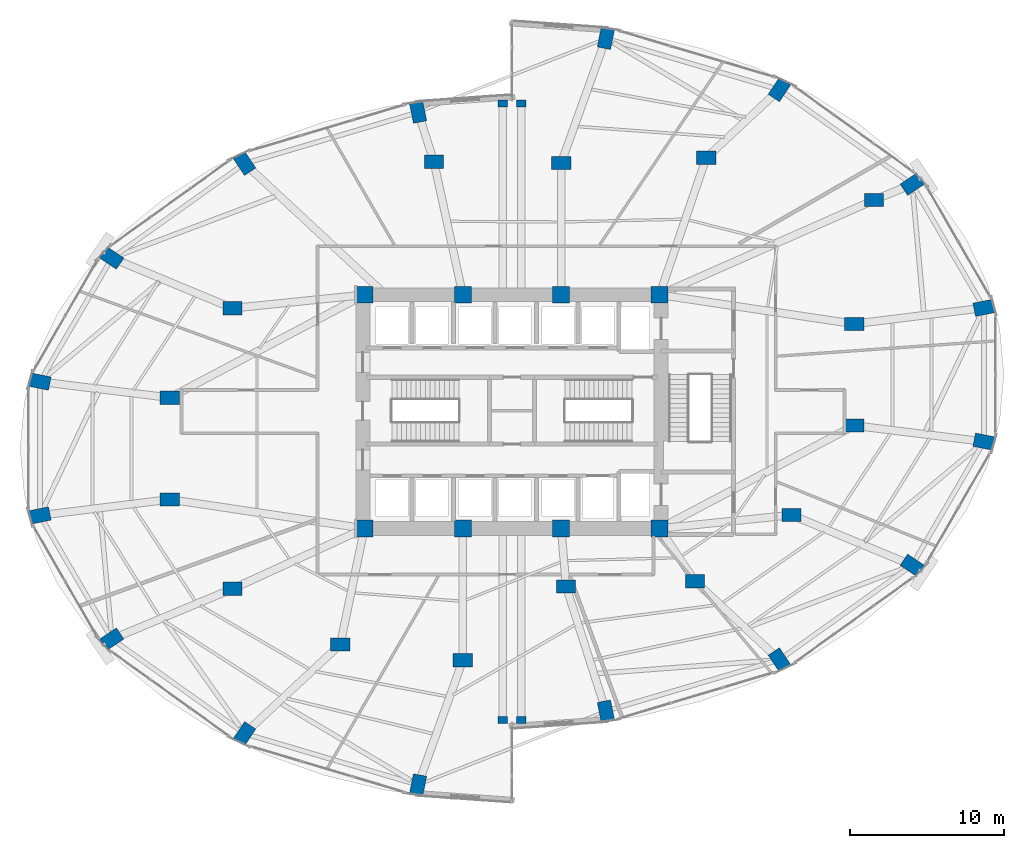
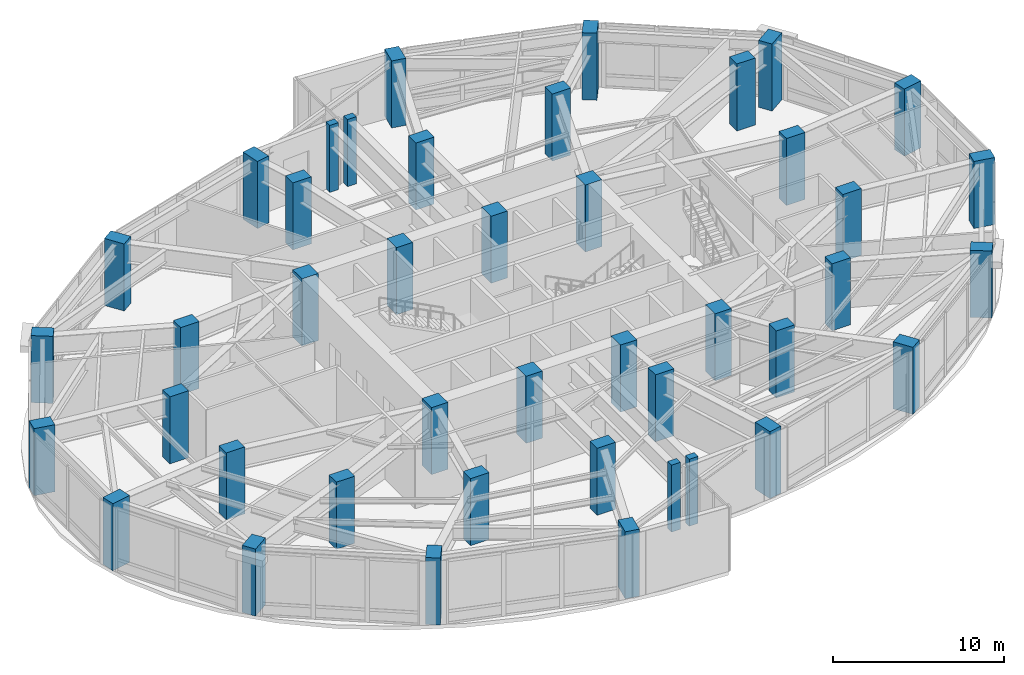
# One storey, part 1 of 24: 43 columns.
"""IFC4 building model written with IfcOpenShell, lengths in metres."""

from ifc_helpers import new_model, si_unit, direction, frame, origin, origin_2d, place, context, subcontext, project, spatial, rectangle, extrude, material, material_profile, profile_set, type_object, element, save


model = new_model("IFC4")

# Units and contexts
model_context = context("Model", 3, precision=1e-05, world=origin(), true_north=direction((0.0, 1.0)))
body_context = subcontext(model_context, "Body", "Model", "MODEL_VIEW")
ifc_project = project(units=[si_unit("LENGTHUNIT", "METRE"), si_unit("AREAUNIT", "SQUARE_METRE"), si_unit("VOLUMEUNIT", "CUBIC_METRE"), si_unit("PLANEANGLEUNIT", "RADIAN"), si_unit("MASSUNIT", "GRAM", prefix="KILO")], contexts=[model_context])

# Site, building, storey
site_placement = place(None, origin())
site = spatial("IfcSite", under=ifc_project, at=site_placement, CompositionType="ELEMENT")
building_placement = place(site_placement, origin())
building = spatial("IfcBuilding", under=site, at=building_placement, Name="Lazwardi Medical Tower", CompositionType="ELEMENT")
storey_placement = place(building_placement, frame((0.0, 0.0, 20.39990234375)))
storey = spatial("IfcBuildingStorey", under=building, at=storey_placement, Name="L04", CompositionType="ELEMENT", Elevation=20.39990234375)

# Columns
ifc_material_1 = material(Name="Concrete C80/95", Category="concrete")
ifc_material_profile_1 = material_profile(ifc_material_1, rectangle(XDim=1.10009765625, YDim=1.10009765625, at=origin_2d()), Name="RC 1100x1100")
ifc_profile_set_1 = profile_set([ifc_material_profile_1], Name="Concrete C80/95")
column_type_1 = type_object("IfcColumnType", Name="COL-CC-L", PredefinedType="COLUMN", material=ifc_profile_set_1)
for number, where, z_axis, x_axis, name in (
    (1, (26.39990234375, 20.39990234375, 0.0), (0.0, 0.0, 1.0), (1.0, 0.0, 0.0), "Core column CC-01 CC1 L04"),
    (2, (32.800048828125, 20.39990234375, 0.0), (0.0, 0.0, 1.0), (1.0, 0.0, 0.0), "Core column CC-01 CC2 L04"),
    (3, (39.199951171875, 20.39990234375, 0.0), (0.0, 0.0, 1.0), (1.0, 0.0, 0.0), "Core column CC-01 CC3 L04"),
    (4, (45.60009765625, 20.39990234375, 0.0), (0.0, 0.0, 1.0), (1.0, 0.0, 0.0), "Core column CC-01 CC4 L04"),
    (5, (45.60009765625, 35.60009765625, 0.0), (0.0, 0.0, 1.0), (1.0, 0.0, 0.0), "Core column CC-01 CC5 L04"),
    (6, (39.199951171875, 35.60009765625, 0.0), (0.0, 0.0, 1.0), (1.0, 0.0, 0.0), "Core column CC-01 CC6 L04"),
    (7, (32.800048828125, 35.60009765625, 0.0), (0.0, 0.0, 1.0), (1.0, 0.0, 0.0), "Core column CC-01 CC7 L04"),
    (8, (26.39990234375, 35.60009765625, 0.0), (0.0, 0.0, 1.0), (1.0, 0.0, 0.0), "Core column CC-01 CC8 L04"),
):
    element("IfcColumn", number, at=place(storey_placement, frame(where, z_axis=z_axis, x_axis=x_axis)), inside=storey, type_object=column_type_1, Name=name, PredefinedType="COLUMN", context=body_context, shape_type="SweptSolid", body=[
        extrude(rectangle(XDim=1.10009765625, YDim=1.10009765625, at=origin_2d()), origin(), (0.0, 0.0, 1.0), 4.800048828125),
    ])
ifc_material_profile_2 = material_profile(ifc_material_1, rectangle(XDim=1.300048828125, YDim=0.8798828125, at=origin_2d()), Name="CFT-RECT 1300x880")
ifc_profile_set_2 = profile_set([ifc_material_profile_2], Name="Concrete C80/95")
column_type_2 = type_object("IfcColumnType", Name="COL-MC-P1", PredefinedType="COLUMN", material=ifc_profile_set_2)
for number, where, z_axis, x_axis, name in (
    (9, (42.106201171875, 8.528564453125, 0.0), (0.0, 0.0, 1.0), (0.195090322016, -0.980785280403, 0.0), "Mega column MC-02 M01 L04"),
    (10, (53.389404296875, 11.858154296875, 0.0), (0.0, 0.0, 1.0), (0.55557023302, -0.831469612303, 0.0), "Mega column MC-02 M02 L04"),
    (11, (62.02490234375, 18.0107421875, 0.0), (0.0, 0.0, 1.0), (0.831469612303, -0.55557023302, 0.0), "Mega column MC-02 M03 L04"),
    (12, (66.698486328125, 26.049560546875, 0.0), (0.0, 0.0, 1.0), (0.980785280403, -0.195090322016, 0.0), "Mega column MC-02 M04 L04"),
    (13, (66.698486328125, 34.75048828125, 0.0), (0.0, 0.0, 1.0), (0.980785280403, 0.195090322016, 0.0), "Mega column MC-02 M05 L04"),
    (14, (62.02490234375, 42.789306640625, 0.0), (0.0, 0.0, 1.0), (0.831469612303, 0.55557023302, 0.0), "Mega column MC-02 M06 L04"),
    (15, (53.389404296875, 48.94189453125, 0.0), (0.0, 0.0, 1.0), (0.55557023302, 0.831469612303, 0.0), "Mega column MC-02 M07 L04"),
    (16, (42.106201171875, 52.271484375, 0.0), (0.0, 0.0, 1.0), (0.195090322016, 0.980785280403, 0.0), "Mega column MC-02 M08 L04"),
    (17, (29.893798828125, 47.471435546875, 0.0), (0.0, 0.0, 1.0), (-0.195090322016, 0.980785280403, 0.0), "Mega column MC-02 M09 L04"),
    (18, (18.610595703125, 44.141845703125, 0.0), (0.0, 0.0, 1.0), (-0.55557023302, 0.831469612303, 0.0), "Mega column MC-02 M10 L04"),
    (19, (9.97509765625, 37.9892578125, 0.0), (0.0, 0.0, 1.0), (-0.831469612303, 0.55557023302, 0.0), "Mega column MC-02 M11 L04"),
    (20, (5.301513671875, 29.950439453125, 0.0), (0.0, 0.0, 1.0), (-0.980785280403, 0.195090322016, 0.0), "Mega column MC-02 M12 L04"),
    (21, (5.301513671875, 21.24951171875, 0.0), (0.0, 0.0, 1.0), (-0.980785280403, -0.195090322016, 0.0), "Mega column MC-02 M13 L04"),
    (22, (9.97509765625, 13.210693359375, 0.0), (0.0, 0.0, 1.0), (-0.831469612303, -0.55557023302, 0.0), "Mega column MC-02 M14 L04"),
    (23, (18.610595703125, 7.05810546875, 0.0), (0.0, 0.0, 1.0), (-0.55557023302, -0.831469612303, 0.0), "Mega column MC-02 M15 L04"),
    (24, (29.893798828125, 3.728515625, 0.0), (0.0, 0.0, 1.0), (-0.195090322016, -0.980785280403, 0.0), "Mega column MC-02 M16 L04"),
):
    element("IfcColumn", number, at=place(storey_placement, frame(where, z_axis=z_axis, x_axis=x_axis)), inside=storey, type_object=column_type_2, Name=name, PredefinedType="COLUMN", context=body_context, shape_type="SweptSolid", body=[
        extrude(rectangle(XDim=1.300048828125, YDim=0.8798828125, at=origin_2d()), origin(), (0.0, 0.0, 1.0), 4.800048828125),
    ])
ifc_material_2 = material(Name="Concrete C70/85", Category="concrete")
ifc_material_profile_3 = material_profile(ifc_material_2, rectangle(XDim=1.25, YDim=0.860107421875, at=origin_2d()), Name="CFT-RECT 1250x860")
ifc_profile_set_3 = profile_set([ifc_material_profile_3], Name="Concrete C70/85")
column_type_3 = type_object("IfcColumnType", Name="COL-MC-Z1", PredefinedType="COLUMN", material=ifc_profile_set_3)
for number, where, z_axis, x_axis, name in (
    (25, (39.52001953125, 16.625, 0.0), (0.0, 0.0, 1.0), (1.0, 0.0, 0.0), "Mega column MC-03 PM01 L04"),
    (26, (47.902099609375, 16.970947265625, 0.0), (0.0, 0.0, 1.0), (1.0, 0.0, 0.0), "Mega column MC-03 PM02 L04"),
    (27, (54.177001953125, 21.27587890625, 0.0), (0.0, 0.0, 1.0), (1.0, 0.0, 0.0), "Mega column MC-03 PM03 L04"),
    (28, (58.262939453125, 27.093994140625, 0.0), (0.0, 0.0, 1.0), (1.0, 0.0, 0.0), "Mega column MC-03 PM04 L04"),
    (29, (58.262939453125, 33.7060546875, 0.0), (0.0, 0.0, 1.0), (1.0, 0.0, 0.0), "Mega column MC-03 PM05 L04"),
    (30, (59.550048828125, 41.760009765625, 0.0), (0.0, 0.0, 1.0), (1.0, 0.0, 0.0), "Mega column MC-03 PM06 L04"),
    (31, (48.634033203125, 44.510009765625, 0.0), (0.0, 0.0, 1.0), (1.0, 0.0, 0.0), "Mega column MC-03 PM07 L04"),
    (32, (39.199951171875, 44.175048828125, 0.0), (0.0, 0.0, 1.0), (1.0, 0.0, 0.0), "Mega column MC-03 PM08 L04"),
    (33, (30.919921875, 44.25, 0.0), (0.0, 0.0, 1.0), (1.0, 0.0, 0.0), "Mega column MC-03 PM09 L04"),
    (34, (17.822998046875, 34.72412109375, 0.0), (0.0, 0.0, 1.0), (1.0, 0.0, 0.0), "Mega column MC-03 PM11 L04"),
    (35, (13.737060546875, 28.906005859375, 0.0), (0.0, 0.0, 1.0), (1.0, 0.0, 0.0), "Mega column MC-03 PM12 L04"),
    (36, (13.737060546875, 22.2939453125, 0.0), (0.0, 0.0, 1.0), (1.0, 0.0, 0.0), "Mega column MC-03 PM13 L04"),
    (37, (17.822998046875, 16.47607421875, 0.0), (0.0, 0.0, 1.0), (1.0, 0.0, 0.0), "Mega column MC-03 PM14 L04"),
    (38, (24.8291015625, 12.85302734375, 0.0), (0.0, 0.0, 1.0), (1.0, 0.0, 0.0), "Mega column MC-03 PM15 L04"),
    (39, (32.800048828125, 11.824951171875, 0.0), (0.0, 0.0, 1.0), (1.0, 0.0, 0.0), "Mega column MC-03 PM16 L04"),
):
    element("IfcColumn", number, at=place(storey_placement, frame(where, z_axis=z_axis, x_axis=x_axis)), inside=storey, type_object=column_type_3, Name=name, PredefinedType="COLUMN", context=body_context, shape_type="SweptSolid", body=[
        extrude(rectangle(XDim=1.25, YDim=0.860107421875, at=origin_2d()), origin(), (0.0, 0.0, 1.0), 4.800048828125),
    ])
ifc_material_3 = material(Name="Concrete C60/75", Category="concrete")
ifc_material_profile_4 = material_profile(ifc_material_3, rectangle(XDim=0.60009765625, YDim=0.449951171875, at=origin_2d()), Name="RC 600x450")
ifc_profile_set_4 = profile_set([ifc_material_profile_4], Name="Concrete C60/75")
column_type_4 = type_object("IfcColumnType", Name="COL-PL-IW", PredefinedType="PILASTER", material=ifc_profile_set_4)
for number, where, z_axis, x_axis, name in (
    (40, (35.39990234375, 48.050048828125, 0.0), (0.0, 0.0, 1.0), (1.0, 0.0, 0.0), "Iwan pilaster column PL-C1 PL1 L04"),
    (41, (36.60009765625, 48.050048828125, 0.0), (0.0, 0.0, 1.0), (1.0, 0.0, 0.0), "Iwan pilaster column PL-C1 PL2 L04"),
    (42, (35.39990234375, 7.949951171875, 0.0), (0.0, 0.0, 1.0), (1.0, 0.0, 0.0), "Iwan pilaster column PL-C1 PL3 L04"),
    (43, (36.60009765625, 7.949951171875, 0.0), (0.0, 0.0, 1.0), (1.0, 0.0, 0.0), "Iwan pilaster column PL-C1 PL4 L04"),
):
    element("IfcColumn", number, at=place(storey_placement, frame(where, z_axis=z_axis, x_axis=x_axis)), inside=storey, type_object=column_type_4, Name=name, PredefinedType="PILASTER", context=body_context, shape_type="SweptSolid", body=[
        extrude(rectangle(XDim=0.60009765625, YDim=0.449951171875, at=origin_2d()), origin(), (0.0, 0.0, 1.0), 4.800048828125),
    ])

save(model, "model.ifc")
